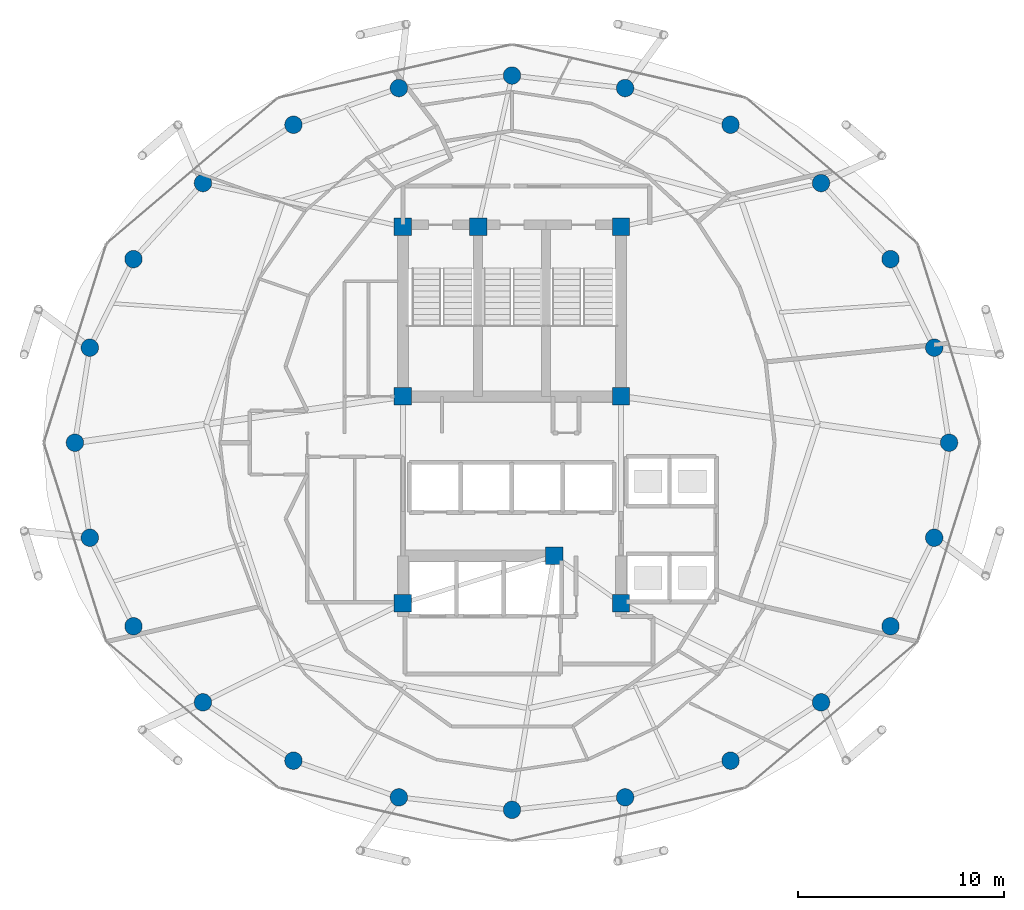
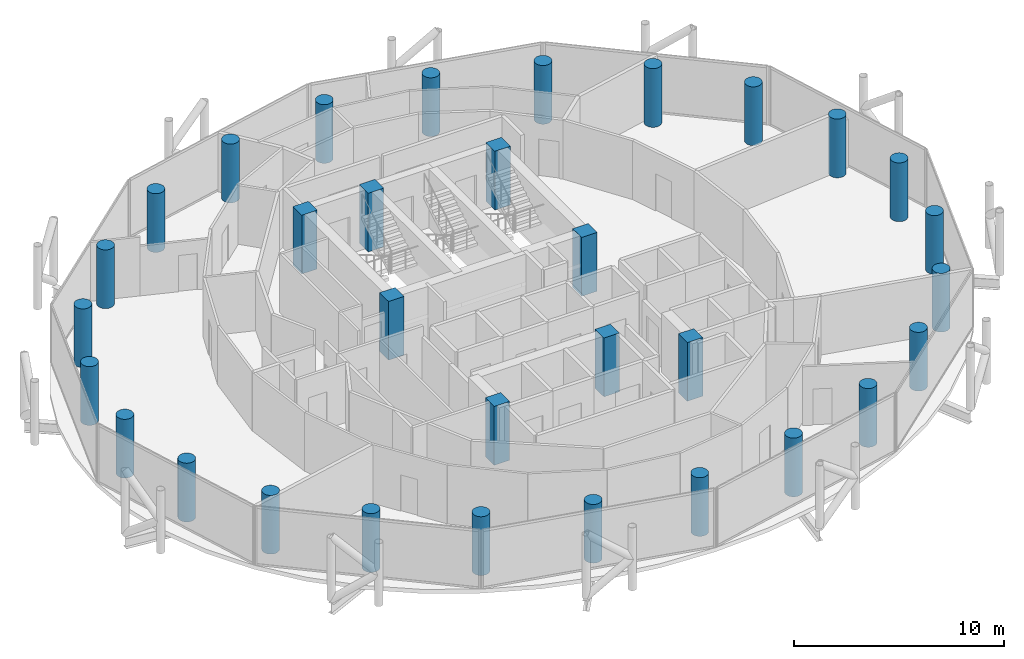
# One storey, part 1 of 27: 32 columns.
"""IFC4 building model written with IfcOpenShell, lengths in metres."""

from ifc_helpers import new_model, si_unit, direction, frame, origin, origin_2d, place, context, subcontext, project, spatial, rectangle, circle, extrude, material, material_profile, profile_set, type_object, element, save


model = new_model("IFC4")

# Units and contexts
model_context = context("Model", 3, precision=1e-05, world=origin(), true_north=direction((0.0, 1.0)))
body_context = subcontext(model_context, "Body", "Model", "MODEL_VIEW")
ifc_project = project(units=[si_unit("LENGTHUNIT", "METRE"), si_unit("AREAUNIT", "SQUARE_METRE"), si_unit("VOLUMEUNIT", "CUBIC_METRE"), si_unit("PLANEANGLEUNIT", "RADIAN"), si_unit("MASSUNIT", "GRAM", prefix="KILO")], contexts=[model_context])

# Site, building, storey
site_placement = place(None, origin())
site = spatial("IfcSite", under=ifc_project, at=site_placement, CompositionType="ELEMENT")
building_placement = place(site_placement, origin())
building = spatial("IfcBuilding", under=site, at=building_placement, Name="Nuhasar Tower", CompositionType="ELEMENT")
storey_placement = place(building_placement, frame((0.0, 0.0, 208.14990234375)))
storey = spatial("IfcBuildingStorey", under=building, at=storey_placement, Name="L50", CompositionType="ELEMENT", Elevation=208.14990234375)

# Columns
ifc_material = material(Name="Concrete C55/67", Category="concrete")
ifc_material_profile_1 = material_profile(ifc_material, circle(Radius=0.425048828125, at=origin_2d()), Name="CFT850")
ifc_profile_set_1 = profile_set([ifc_material_profile_1], Name="Concrete C55/67")
column_type_1 = type_object("IfcColumnType", Name="COL-CFT-850", PredefinedType="COLUMN", material=ifc_profile_set_1)
for number, where, z_axis, x_axis, name in (
    (1, (60.25, 26.800048828125, 0.0), (0.0, 0.0, 1.0), (1.0, 0.0, 0.0), "L50 Perimeter Composite Column TC-01"),
    (2, (59.52587890625, 31.419921875, 0.0), (0.0, 0.0, 1.0), (1.0, 0.0, 0.0), "L50 Perimeter Composite Column TC-02"),
    (3, (57.403076171875, 35.72509765625, 0.0), (0.0, 0.0, 1.0), (1.0, 0.0, 0.0), "L50 Perimeter Composite Column TC-03"),
    (4, (54.02587890625, 39.422119140625, 0.0), (0.0, 0.0, 1.0), (1.0, 0.0, 0.0), "L50 Perimeter Composite Column TC-04"),
    (5, (49.625, 42.259033203125, 0.0), (0.0, 0.0, 1.0), (1.0, 0.0, 0.0), "L50 Perimeter Composite Column TC-05"),
    (6, (44.5, 44.0419921875, 0.0), (0.0, 0.0, 1.0), (1.0, 0.0, 0.0), "L50 Perimeter Composite Column TC-06"),
    (7, (39.0, 44.64990234375, 0.0), (0.0, 0.0, 1.0), (1.0, 0.0, 0.0), "L50 Perimeter Composite Column TC-07"),
    (8, (33.5, 44.0419921875, 0.0), (0.0, 0.0, 1.0), (1.0, 0.0, 0.0), "L50 Perimeter Composite Column TC-08"),
    (9, (28.375, 42.259033203125, 0.0), (0.0, 0.0, 1.0), (1.0, 0.0, 0.0), "L50 Perimeter Composite Column TC-09"),
    (10, (23.97412109375, 39.422119140625, 0.0), (0.0, 0.0, 1.0), (1.0, 0.0, 0.0), "L50 Perimeter Composite Column TC-10"),
    (11, (20.596923828125, 35.72509765625, 0.0), (0.0, 0.0, 1.0), (1.0, 0.0, 0.0), "L50 Perimeter Composite Column TC-11"),
    (12, (18.47412109375, 31.419921875, 0.0), (0.0, 0.0, 1.0), (1.0, 0.0, 0.0), "L50 Perimeter Composite Column TC-12"),
    (13, (17.75, 26.800048828125, 0.0), (0.0, 0.0, 1.0), (1.0, 0.0, 0.0), "L50 Perimeter Composite Column TC-13"),
    (14, (18.47412109375, 22.179931640625, 0.0), (0.0, 0.0, 1.0), (1.0, 0.0, 0.0), "L50 Perimeter Composite Column TC-14"),
    (15, (20.596923828125, 17.875, 0.0), (0.0, 0.0, 1.0), (1.0, 0.0, 0.0), "L50 Perimeter Composite Column TC-15"),
    (16, (23.97412109375, 14.177978515625, 0.0), (0.0, 0.0, 1.0), (1.0, 0.0, 0.0), "L50 Perimeter Composite Column TC-16"),
    (17, (28.375, 11.341064453125, 0.0), (0.0, 0.0, 1.0), (1.0, 0.0, 0.0), "L50 Perimeter Composite Column TC-17"),
    (18, (33.5, 9.55810546875, 0.0), (0.0, 0.0, 1.0), (1.0, 0.0, 0.0), "L50 Perimeter Composite Column TC-18"),
    (19, (39.0, 8.949951171875, 0.0), (0.0, 0.0, 1.0), (1.0, 0.0, 0.0), "L50 Perimeter Composite Column TC-19"),
    (20, (44.5, 9.55810546875, 0.0), (0.0, 0.0, 1.0), (1.0, 0.0, 0.0), "L50 Perimeter Composite Column TC-20"),
    (21, (49.625, 11.341064453125, 0.0), (0.0, 0.0, 1.0), (1.0, 0.0, 0.0), "L50 Perimeter Composite Column TC-21"),
    (22, (54.02587890625, 14.177978515625, 0.0), (0.0, 0.0, 1.0), (1.0, 0.0, 0.0), "L50 Perimeter Composite Column TC-22"),
    (23, (57.403076171875, 17.875, 0.0), (0.0, 0.0, 1.0), (1.0, 0.0, 0.0), "L50 Perimeter Composite Column TC-23"),
    (24, (59.52587890625, 22.179931640625, 0.0), (0.0, 0.0, 1.0), (1.0, 0.0, 0.0), "L50 Perimeter Composite Column TC-24"),
):
    element("IfcColumn", number, at=place(storey_placement, frame(where, z_axis=z_axis, x_axis=x_axis)), inside=storey, type_object=column_type_1, Name=name, PredefinedType="COLUMN", context=body_context, shape_type="SweptSolid", body=[
        extrude(circle(Radius=0.425048828125, at=origin_2d()), origin(), (0.0, 0.0, 1.0), 3.41015625),
    ])
ifc_material_profile_2 = material_profile(ifc_material, rectangle(XDim=0.85009765625, YDim=0.85009765625, at=origin_2d()), Name="RC850X850")
ifc_profile_set_2 = profile_set([ifc_material_profile_2], Name="Concrete C55/67")
column_type_2 = type_object("IfcColumnType", Name="PIL-RC-850", PredefinedType="PILASTER", material=ifc_profile_set_2)
for number, where, z_axis, x_axis, name in (
    (25, (33.699951171875, 19.0, 0.0), (0.0, 0.0, 1.0), (1.0, 0.0, 0.0), "L50 Core Boundary Pilaster CC-01"),
    (26, (41.050048828125, 21.300048828125, 0.0), (0.0, 0.0, 1.0), (1.0, 0.0, 0.0), "L50 Core Boundary Pilaster CC-02"),
    (27, (44.300048828125, 19.0, 0.0), (0.0, 0.0, 1.0), (1.0, 0.0, 0.0), "L50 Core Boundary Pilaster CC-03"),
    (28, (44.300048828125, 29.050048828125, 0.0), (0.0, 0.0, 1.0), (1.0, 0.0, 0.0), "L50 Core Boundary Pilaster CC-04"),
    (29, (44.300048828125, 37.300048828125, 0.0), (0.0, 0.0, 1.0), (1.0, 0.0, 0.0), "L50 Core Boundary Pilaster CC-05"),
    (30, (37.35009765625, 37.300048828125, 0.0), (0.0, 0.0, 1.0), (1.0, 0.0, 0.0), "L50 Core Boundary Pilaster CC-06"),
    (31, (33.699951171875, 37.300048828125, 0.0), (0.0, 0.0, 1.0), (1.0, 0.0, 0.0), "L50 Core Boundary Pilaster CC-07"),
    (32, (33.699951171875, 29.050048828125, 0.0), (0.0, 0.0, 1.0), (1.0, 0.0, 0.0), "L50 Core Boundary Pilaster CC-08"),
):
    element("IfcColumn", number, at=place(storey_placement, frame(where, z_axis=z_axis, x_axis=x_axis)), inside=storey, type_object=column_type_2, Name=name, PredefinedType="PILASTER", context=body_context, shape_type="SweptSolid", body=[
        extrude(rectangle(XDim=0.85009765625, YDim=0.85009765625, at=origin_2d()), origin(), (0.0, 0.0, 1.0), 3.41015625),
    ])

save(model, "model.ifc")
